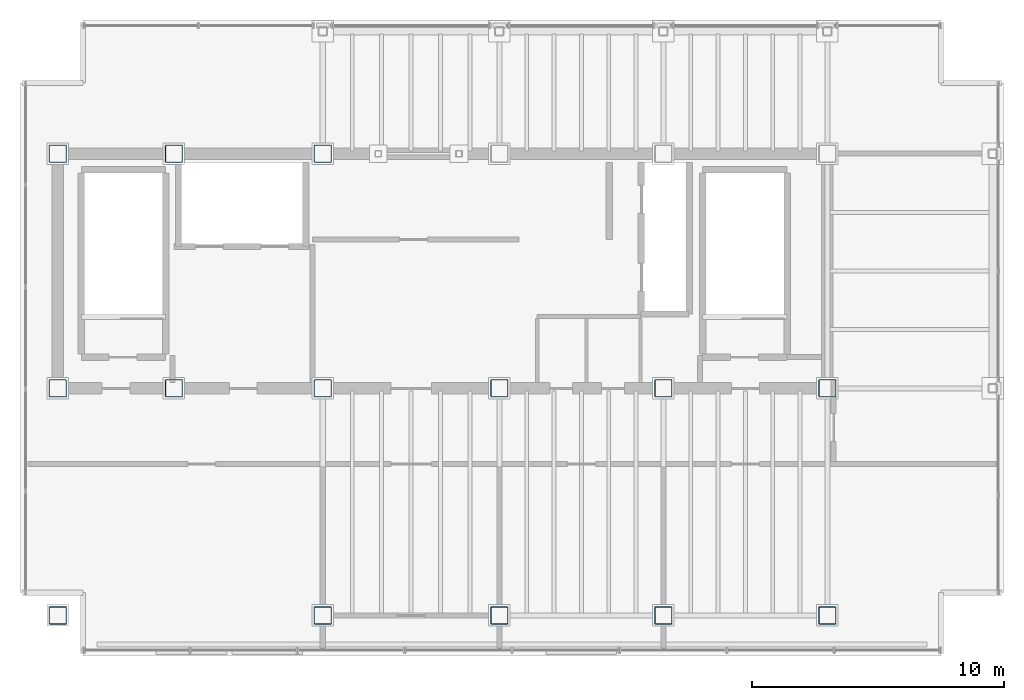
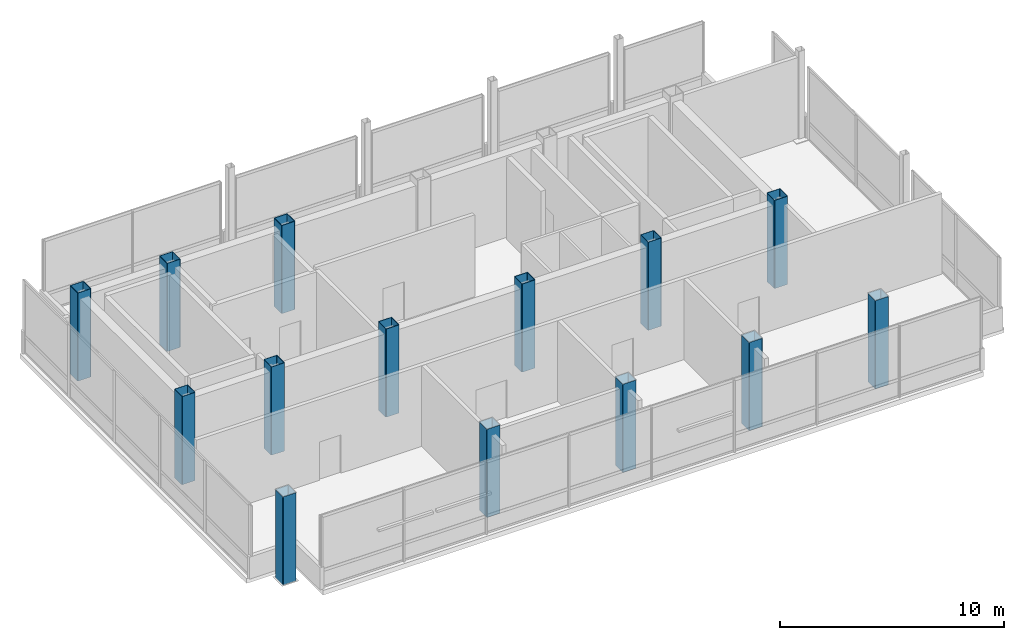
# One storey, part 1 of 20: 14 columns.
"""IFC4 building model written with IfcOpenShell, lengths in metres."""

import ifcopenshell
import ifcopenshell.guid

model = None  # the IFC model being written
_history = None  # IfcOwnerHistory: only IFC2X3 demands one
_inside = {}  # id of a spatial element -> (the spatial element, [elements in it])
_under = {}  # id of a project, library or spatial element -> (it, [spatial elements below it])
_declared = {}  # id of a project -> (the project, [libraries it declares])
_typed = {}  # id of a type object -> (the type object, [elements of that type])
_made_of = {}  # id of a material, layer set ... -> (it, [elements and type objects made of it])


def new_model(schema):
    """Start an empty IFC model of exactly this schema.

    Asked for "IFC4X3", IfcOpenShell would pick the latest addendum, in which some entities
    have other attributes; the version numbers below select the first issue.
    IFC2X3 requires an IfcOwnerHistory on every rooted entity: one is made here for all.
    """
    global model, _history
    if schema == "IFC4X3":
        model = ifcopenshell.file(schema_version=(4, 3, 0, 0))
    else:
        model = ifcopenshell.file(schema=schema)
    _inside.clear()
    _under.clear()
    _declared.clear()
    _typed.clear()
    _made_of.clear()
    _history = None
    if model.schema == "IFC2X3":
        org = make("IfcOrganization", Name="unknown")
        user = make(
            "IfcPersonAndOrganization",
            ThePerson=make("IfcPerson", FamilyName="unknown"),
            TheOrganization=org,
        )
        app = make(
            "IfcApplication",
            ApplicationDeveloper=org,
            Version="unknown",
            ApplicationFullName="unknown",
            ApplicationIdentifier="unknown",
        )
        _history = make(
            "IfcOwnerHistory",
            OwningUser=user,
            OwningApplication=app,
            ChangeAction="ADDED",
            CreationDate=0,
        )
    return model


def make(cls, **values):
    """One entity of the class cls with the attributes given. An attribute that is None is left unset."""
    return model.create_entity(
        cls, **{name: value for name, value in values.items() if value is not None}
    )


def rooted(cls, **values):
    """An entity with a GlobalId (a new one), such as an element, a storey or a relation."""
    return make(cls, GlobalId=ifcopenshell.guid.new(), OwnerHistory=_history, **values)


def si_unit(unit_type, name, prefix=None):
    """IfcSIUnit, for example si_unit("LENGTHUNIT", "METRE", prefix="MILLI")."""
    return make("IfcSIUnit", UnitType=unit_type, Prefix=prefix, Name=name)


def assignment(units):
    """IfcUnitAssignment: the units of a project."""
    return None if units is None else make("IfcUnitAssignment", Units=units)


def point(xyz):
    """IfcCartesianPoint."""
    return None if xyz is None else make("IfcCartesianPoint", Coordinates=xyz)


def direction(xyz):
    """IfcDirection."""
    return None if xyz is None else make("IfcDirection", DirectionRatios=xyz)


def frame(location, z_axis=None, x_axis=None):
    """IfcAxis2Placement3D, a coordinate frame: its origin and axes. An axis left out is left unset."""
    return make(
        "IfcAxis2Placement3D",
        Location=point(location),
        Axis=direction(z_axis),
        RefDirection=direction(x_axis),
    )


def frame_2d(location, x_axis=None):
    """IfcAxis2Placement2D, a coordinate frame in the plane: its origin and x axis."""
    return make(
        "IfcAxis2Placement2D", Location=point(location), RefDirection=direction(x_axis)
    )


def origin():
    """The frame at (0, 0, 0) with its axes left unset."""
    return frame((0.0, 0.0, 0.0))


def origin_2d():
    """The frame at (0, 0) in the plane with its x axis left unset."""
    return frame_2d((0.0, 0.0))


def place(relative_to, where):
    """IfcLocalPlacement: puts the frame where relative to a parent placement (None: the world)."""
    return make(
        "IfcLocalPlacement", PlacementRelTo=relative_to, RelativePlacement=where
    )


def context(
    kind, dimensions, precision=None, world=None, true_north=None, identifier=None
):
    """IfcGeometricRepresentationContext, for example the 3D "Model" context."""
    return make(
        "IfcGeometricRepresentationContext",
        ContextIdentifier=identifier,
        ContextType=kind,
        CoordinateSpaceDimension=dimensions,
        Precision=precision,
        WorldCoordinateSystem=world,
        TrueNorth=true_north,
    )


def subcontext(parent, identifier, kind, view, scale=None):
    """IfcGeometricRepresentationSubContext, for example "Body" below "Model"."""
    return make(
        "IfcGeometricRepresentationSubContext",
        ContextIdentifier=identifier,
        ContextType=kind,
        ParentContext=parent,
        TargetScale=scale,
        TargetView=view,
    )


def project(units=None, contexts=None):
    """IfcProject with its units and contexts."""
    return rooted(
        "IfcProject",
        Name="project",
        RepresentationContexts=contexts,
        UnitsInContext=assignment(units),
    )


def spatial(cls, under=None, at=None, **own):
    """A site, building, storey or space (cls), placed at a placement, below another one or the project."""
    s = rooted(cls, ObjectPlacement=at, **own)
    if under is not None:
        _under.setdefault(under.id(), (under, []))[1].append(s)
    return s


def profile(cls, at=None, kind="AREA", **sizes):
    """A parametric profile (cls). Its sizes go by their IFC names, for example OverallWidth=200.0."""
    return make(cls, ProfileType=kind, Position=at, **sizes)


def hollow_rectangle(**sizes):
    """IfcRectangleHollowProfileDef."""
    return profile("IfcRectangleHollowProfileDef", **sizes)


def extrude(swept, where, along, depth):
    """IfcExtrudedAreaSolid: the profile swept, set in the frame where, extruded along a direction by depth."""
    return make(
        "IfcExtrudedAreaSolid",
        SweptArea=swept,
        Position=where,
        ExtrudedDirection=direction(along),
        Depth=depth,
    )


def shape(context_of_items, identifier, shape_type, items):
    """IfcShapeRepresentation: the items that make up one representation, for example the "Body"."""
    return make(
        "IfcShapeRepresentation",
        ContextOfItems=context_of_items,
        RepresentationIdentifier=identifier,
        RepresentationType=shape_type,
        Items=items,
    )


def material(Name=None, Category=None):
    """IfcMaterial."""
    return make("IfcMaterial", Name=Name, Category=Category)


def material_profile(
    of_material, cross_section, Name=None, Category=None, Priority=None
):
    """IfcMaterialProfile: a cross section and its material."""
    return make(
        "IfcMaterialProfile",
        Name=Name,
        Material=of_material,
        Profile=cross_section,
        Priority=Priority,
        Category=Category,
    )


def profile_set(profiles, Name=None, composite=None):
    """IfcMaterialProfileSet."""
    return make(
        "IfcMaterialProfileSet",
        Name=Name,
        MaterialProfiles=profiles,
        CompositeProfile=composite,
    )


def made_of(thing, what):
    """Note that an element or type object is made of a material, layer set ...; save() writes the relation."""
    if what is not None:
        _made_of.setdefault(what.id(), (what, []))[1].append(thing)
    return thing


def type_object(cls, material=None, **own):
    """A type object (cls), such as IfcWallType, which elements share."""
    return made_of(rooted(cls, **own), material)


def element(
    cls,
    number,
    at=None,
    inside=None,
    cuts=None,
    type_object=None,
    material=None,
    context=None,
    identifier="Body",
    shape_type=None,
    held_by="IfcProductDefinitionShape",
    body=None,
    shapes=None,
    **own,
):
    """One element of the class cls, such as IfcWall. Its Tag is "e" and its number.

    at: its placement. inside: the storey or other place that contains it. cuts: it is an
    opening in that element (IfcRelVoidsElement). A single representation is given by context,
    identifier, shape_type and body (its items); several are given by shapes. held_by: the class
    of the entity that holds the representations. save() writes the other relations.
    """
    e = rooted(cls, Tag="e%d" % number, ObjectPlacement=at, **own)
    if body is not None:
        shapes = [shape(context, identifier, shape_type, body)]
    if shapes is not None:
        e.Representation = make(held_by, Representations=shapes)
    if inside is not None:
        _inside.setdefault(inside.id(), (inside, []))[1].append(e)
    if cuts is not None:
        rooted(
            "IfcRelVoidsElement", RelatingBuildingElement=cuts, RelatedOpeningElement=e
        )
    if type_object is not None:
        _typed.setdefault(type_object.id(), (type_object, []))[1].append(e)
    return made_of(e, material)


def aggregate(whole, parts):
    """IfcRelAggregates: a whole, such as a stair, and the parts it consists of."""
    return rooted("IfcRelAggregates", RelatingObject=whole, RelatedObjects=parts)


def save(model, path):
    """Write the relations noted so far, then the file.

    IfcRelAggregates (storeys below a building ...), IfcRelContainedInSpatialStructure (elements
    in a storey), IfcRelDefinesByType, IfcRelAssociatesMaterial and IfcRelDeclares: one each for
    every whole, place, type object, material and project.
    """
    for whole, parts in _under.values():
        aggregate(whole, parts)
    for where, things in _inside.values():
        rooted(
            "IfcRelContainedInSpatialStructure",
            RelatedElements=things,
            RelatingStructure=where,
        )
    for kind, things in _typed.values():
        rooted("IfcRelDefinesByType", RelatedObjects=things, RelatingType=kind)
    for what, things in _made_of.values():
        rooted("IfcRelAssociatesMaterial", RelatedObjects=things, RelatingMaterial=what)
    for by, libraries in _declared.values():
        rooted("IfcRelDeclares", RelatingContext=by, RelatedDefinitions=libraries)
    model.write(path)


model = new_model("IFC4")

# Units and contexts
model_context = context("Model", 3, precision=1e-05, world=origin(), true_north=direction((0.0, 1.0)))
body_context = subcontext(model_context, "Body", "Model", "MODEL_VIEW")
ifc_project = project(units=[si_unit("LENGTHUNIT", "METRE"), si_unit("AREAUNIT", "SQUARE_METRE"), si_unit("VOLUMEUNIT", "CUBIC_METRE"), si_unit("PLANEANGLEUNIT", "RADIAN"), si_unit("MASSUNIT", "GRAM", prefix="KILO")], contexts=[model_context])

# Site, building, storey
site_placement = place(None, origin())
site = spatial("IfcSite", under=ifc_project, at=site_placement, CompositionType="ELEMENT")
building_placement = place(site_placement, origin())
building = spatial("IfcBuilding", under=site, at=building_placement, Name="Noeulbin Bourse Tower", CompositionType="ELEMENT")
storey_placement = place(building_placement, frame((0.0, 0.0, 312.60009765625)))
storey = spatial("IfcBuildingStorey", under=building, at=storey_placement, Name="L77", CompositionType="ELEMENT", Elevation=312.60009765625)

# Columns
ifc_material = material(Name="Steel S355", Category="steel")
ifc_material_profile = material_profile(ifc_material, hollow_rectangle(XDim=0.699951171875, YDim=0.699951171875, WallThickness=0.028076171875, InnerFilletRadius=0.013916015625, OuterFilletRadius=0.0419921875, at=origin_2d()), Name="BOX-700x700x28", Category="LoadBearing")
ifc_profile_set = profile_set([ifc_material_profile], Name="Steel S355")
column_type = type_object("IfcColumnType", Name="COL-TRK-Z4", PredefinedType="COLUMN", material=ifc_profile_set)
for number, where, z_axis, x_axis, name in (
    (1, (13.5, 29.0, 0.0), (0.0, 0.0, 1.0), (1.0, 0.0, 0.0), "Tower Trunk Mega-Column COL-TRK-Z4 01"),
    (2, (13.5, 38.300048828125, 0.0), (0.0, 0.0, 1.0), (1.0, 0.0, 0.0), "Tower Trunk Mega-Column COL-TRK-Z4 02"),
    (3, (18.10009765625, 29.0, 0.0), (0.0, 0.0, 1.0), (1.0, 0.0, 0.0), "Tower Trunk Mega-Column COL-TRK-Z4 03"),
    (4, (18.10009765625, 38.300048828125, 0.0), (0.0, 0.0, 1.0), (1.0, 0.0, 0.0), "Tower Trunk Mega-Column COL-TRK-Z4 04"),
    (5, (24.0, 29.0, 0.0), (0.0, 0.0, 1.0), (1.0, 0.0, 0.0), "Tower Trunk Mega-Column COL-TRK-Z4 05"),
    (6, (24.0, 38.300048828125, 0.0), (0.0, 0.0, 1.0), (1.0, 0.0, 0.0), "Tower Trunk Mega-Column COL-TRK-Z4 06"),
    (7, (31.0, 29.0, 0.0), (0.0, 0.0, 1.0), (1.0, 0.0, 0.0), "Tower Trunk Mega-Column COL-TRK-Z4 07"),
    (8, (37.5, 29.0, 0.0), (0.0, 0.0, 1.0), (1.0, 0.0, 0.0), "Tower Trunk Mega-Column COL-TRK-Z4 09"),
    (9, (44.0, 29.0, 0.0), (0.0, 0.0, 1.0), (1.0, 0.0, 0.0), "Tower Trunk Mega-Column COL-TRK-Z4 11"),
    (10, (13.5, 20.0, 0.0), (0.0, 0.0, 1.0), (1.0, 0.0, 0.0), "Tower Trunk Mega-Column COL-TRK-Z4 13"),
    (11, (24.0, 20.0, 0.0), (0.0, 0.0, 1.0), (1.0, 0.0, 0.0), "Tower Trunk Mega-Column COL-TRK-Z4 14"),
    (12, (31.0, 20.0, 0.0), (0.0, 0.0, 1.0), (1.0, 0.0, 0.0), "Tower Trunk Mega-Column COL-TRK-Z4 15"),
    (13, (37.5, 20.0, 0.0), (0.0, 0.0, 1.0), (1.0, 0.0, 0.0), "Tower Trunk Mega-Column COL-TRK-Z4 16"),
    (14, (44.0, 20.0, 0.0), (0.0, 0.0, 1.0), (1.0, 0.0, 0.0), "Tower Trunk Mega-Column COL-TRK-Z4 17"),
):
    element("IfcColumn", number, at=place(storey_placement, frame(where, z_axis=z_axis, x_axis=x_axis)), inside=storey, type_object=column_type, Name=name, PredefinedType="COLUMN", context=body_context, shape_type="SweptSolid", body=[
        extrude(hollow_rectangle(XDim=0.699951171875, YDim=0.699951171875, WallThickness=0.028076171875, InnerFilletRadius=0.013916015625, OuterFilletRadius=0.0419921875, at=origin_2d()), origin(), (0.0, 0.0, 1.0), 4.7998046875),
    ])

save(model, "model.ifc")
